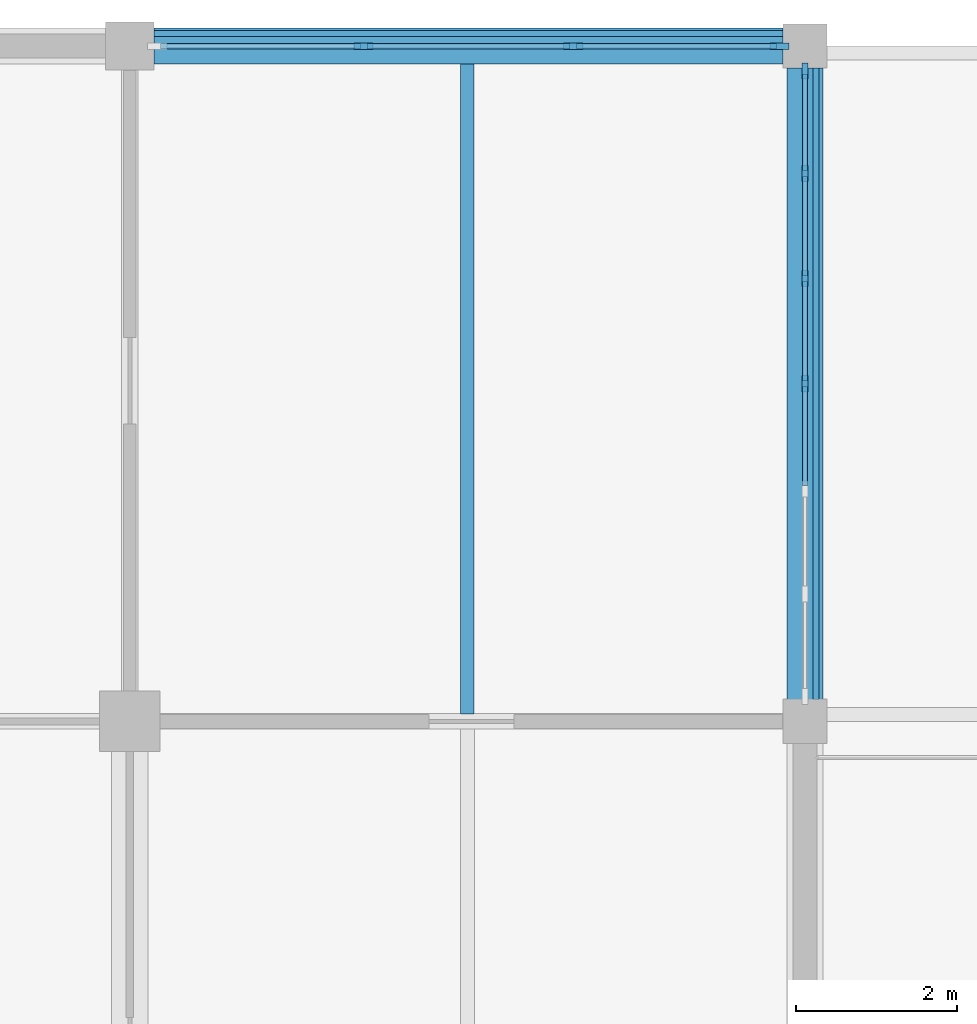
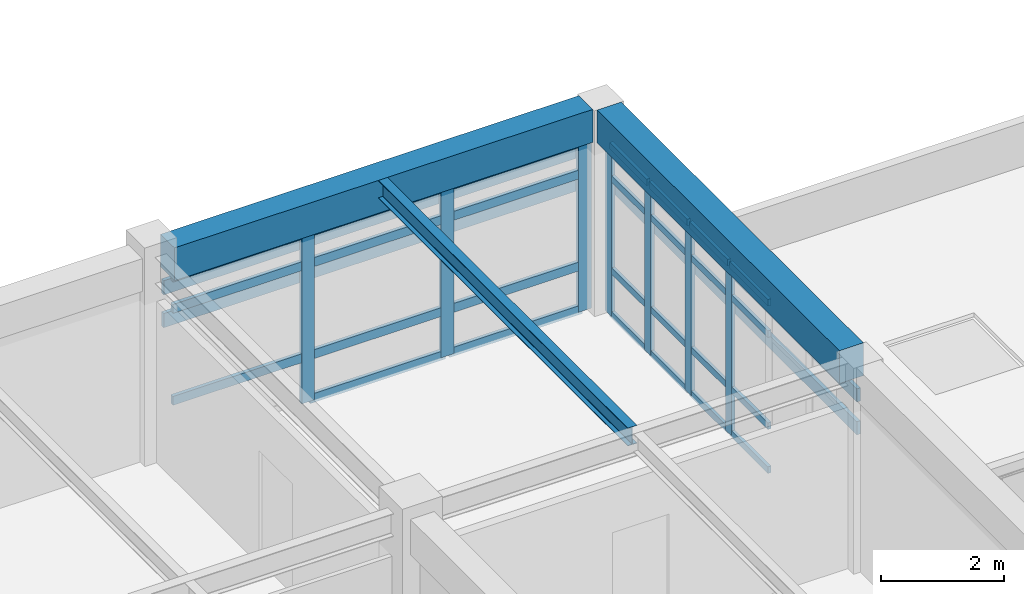
# One storey, part 19 of 40: 38 members, 3 beams, 2 elements without a shape of their own.
"""IFC4 building model written with IfcOpenShell, lengths in metres."""

import ifcopenshell
import ifcopenshell.guid

model = None  # the IFC model being written
_history = None  # IfcOwnerHistory: only IFC2X3 demands one
_inside = {}  # id of a spatial element -> (the spatial element, [elements in it])
_under = {}  # id of a project, library or spatial element -> (it, [spatial elements below it])
_declared = {}  # id of a project -> (the project, [libraries it declares])
_typed = {}  # id of a type object -> (the type object, [elements of that type])
_made_of = {}  # id of a material, layer set ... -> (it, [elements and type objects made of it])


def new_model(schema):
    """Start an empty IFC model of exactly this schema.

    Asked for "IFC4X3", IfcOpenShell would pick the latest addendum, in which some entities
    have other attributes; the version numbers below select the first issue.
    IFC2X3 requires an IfcOwnerHistory on every rooted entity: one is made here for all.
    """
    global model, _history
    if schema == "IFC4X3":
        model = ifcopenshell.file(schema_version=(4, 3, 0, 0))
    else:
        model = ifcopenshell.file(schema=schema)
    _inside.clear()
    _under.clear()
    _declared.clear()
    _typed.clear()
    _made_of.clear()
    _history = None
    if model.schema == "IFC2X3":
        org = make("IfcOrganization", Name="unknown")
        user = make(
            "IfcPersonAndOrganization",
            ThePerson=make("IfcPerson", FamilyName="unknown"),
            TheOrganization=org,
        )
        app = make(
            "IfcApplication",
            ApplicationDeveloper=org,
            Version="unknown",
            ApplicationFullName="unknown",
            ApplicationIdentifier="unknown",
        )
        _history = make(
            "IfcOwnerHistory",
            OwningUser=user,
            OwningApplication=app,
            ChangeAction="ADDED",
            CreationDate=0,
        )
    return model


def make(cls, **values):
    """One entity of the class cls with the attributes given. An attribute that is None is left unset."""
    return model.create_entity(
        cls, **{name: value for name, value in values.items() if value is not None}
    )


def rooted(cls, **values):
    """An entity with a GlobalId (a new one), such as an element, a storey or a relation."""
    return make(cls, GlobalId=ifcopenshell.guid.new(), OwnerHistory=_history, **values)


def si_unit(unit_type, name, prefix=None):
    """IfcSIUnit, for example si_unit("LENGTHUNIT", "METRE", prefix="MILLI")."""
    return make("IfcSIUnit", UnitType=unit_type, Prefix=prefix, Name=name)


def assignment(units):
    """IfcUnitAssignment: the units of a project."""
    return None if units is None else make("IfcUnitAssignment", Units=units)


def point(xyz):
    """IfcCartesianPoint."""
    return None if xyz is None else make("IfcCartesianPoint", Coordinates=xyz)


def direction(xyz):
    """IfcDirection."""
    return None if xyz is None else make("IfcDirection", DirectionRatios=xyz)


def frame(location, z_axis=None, x_axis=None):
    """IfcAxis2Placement3D, a coordinate frame: its origin and axes. An axis left out is left unset."""
    return make(
        "IfcAxis2Placement3D",
        Location=point(location),
        Axis=direction(z_axis),
        RefDirection=direction(x_axis),
    )


def frame_2d(location, x_axis=None):
    """IfcAxis2Placement2D, a coordinate frame in the plane: its origin and x axis."""
    return make(
        "IfcAxis2Placement2D", Location=point(location), RefDirection=direction(x_axis)
    )


def origin():
    """The frame at (0, 0, 0) with its axes left unset."""
    return frame((0.0, 0.0, 0.0))


def origin_2d():
    """The frame at (0, 0) in the plane with its x axis left unset."""
    return frame_2d((0.0, 0.0))


def place(relative_to, where):
    """IfcLocalPlacement: puts the frame where relative to a parent placement (None: the world)."""
    return make(
        "IfcLocalPlacement", PlacementRelTo=relative_to, RelativePlacement=where
    )


def context(
    kind, dimensions, precision=None, world=None, true_north=None, identifier=None
):
    """IfcGeometricRepresentationContext, for example the 3D "Model" context."""
    return make(
        "IfcGeometricRepresentationContext",
        ContextIdentifier=identifier,
        ContextType=kind,
        CoordinateSpaceDimension=dimensions,
        Precision=precision,
        WorldCoordinateSystem=world,
        TrueNorth=true_north,
    )


def subcontext(parent, identifier, kind, view, scale=None):
    """IfcGeometricRepresentationSubContext, for example "Body" below "Model"."""
    return make(
        "IfcGeometricRepresentationSubContext",
        ContextIdentifier=identifier,
        ContextType=kind,
        ParentContext=parent,
        TargetScale=scale,
        TargetView=view,
    )


def project(units=None, contexts=None):
    """IfcProject with its units and contexts."""
    return rooted(
        "IfcProject",
        Name="project",
        RepresentationContexts=contexts,
        UnitsInContext=assignment(units),
    )


def spatial(cls, under=None, at=None, **own):
    """A site, building, storey or space (cls), placed at a placement, below another one or the project."""
    s = rooted(cls, ObjectPlacement=at, **own)
    if under is not None:
        _under.setdefault(under.id(), (under, []))[1].append(s)
    return s


def profile(cls, at=None, kind="AREA", **sizes):
    """A parametric profile (cls). Its sizes go by their IFC names, for example OverallWidth=200.0."""
    return make(cls, ProfileType=kind, Position=at, **sizes)


def rectangle(**sizes):
    """IfcRectangleProfileDef."""
    return profile("IfcRectangleProfileDef", **sizes)


def i_section(**sizes):
    """IfcIShapeProfileDef."""
    return profile("IfcIShapeProfileDef", **sizes)


def extrude(swept, where, along, depth):
    """IfcExtrudedAreaSolid: the profile swept, set in the frame where, extruded along a direction by depth."""
    return make(
        "IfcExtrudedAreaSolid",
        SweptArea=swept,
        Position=where,
        ExtrudedDirection=direction(along),
        Depth=depth,
    )


def shape(context_of_items, identifier, shape_type, items):
    """IfcShapeRepresentation: the items that make up one representation, for example the "Body"."""
    return make(
        "IfcShapeRepresentation",
        ContextOfItems=context_of_items,
        RepresentationIdentifier=identifier,
        RepresentationType=shape_type,
        Items=items,
    )


def material(Name=None, Category=None):
    """IfcMaterial."""
    return make("IfcMaterial", Name=Name, Category=Category)


def layer(
    of_material, thickness, ventilated=None, Name=None, Category=None, Priority=None
):
    """IfcMaterialLayer: one layer of a wall or slab, of a material (None: an air gap)."""
    return make(
        "IfcMaterialLayer",
        Material=of_material,
        LayerThickness=thickness,
        IsVentilated=ventilated,
        Name=Name,
        Category=Category,
        Priority=Priority,
    )


def layer_set(layers, Name=None):
    """IfcMaterialLayerSet."""
    return make("IfcMaterialLayerSet", MaterialLayers=layers, LayerSetName=Name)


def material_profile(
    of_material, cross_section, Name=None, Category=None, Priority=None
):
    """IfcMaterialProfile: a cross section and its material."""
    return make(
        "IfcMaterialProfile",
        Name=Name,
        Material=of_material,
        Profile=cross_section,
        Priority=Priority,
        Category=Category,
    )


def profile_set(profiles, Name=None, composite=None):
    """IfcMaterialProfileSet."""
    return make(
        "IfcMaterialProfileSet",
        Name=Name,
        MaterialProfiles=profiles,
        CompositeProfile=composite,
    )


def made_of(thing, what):
    """Note that an element or type object is made of a material, layer set ...; save() writes the relation."""
    if what is not None:
        _made_of.setdefault(what.id(), (what, []))[1].append(thing)
    return thing


def type_object(cls, material=None, **own):
    """A type object (cls), such as IfcWallType, which elements share."""
    return made_of(rooted(cls, **own), material)


def element(
    cls,
    number,
    at=None,
    inside=None,
    cuts=None,
    type_object=None,
    material=None,
    context=None,
    identifier="Body",
    shape_type=None,
    held_by="IfcProductDefinitionShape",
    body=None,
    shapes=None,
    **own,
):
    """One element of the class cls, such as IfcWall. Its Tag is "e" and its number.

    at: its placement. inside: the storey or other place that contains it. cuts: it is an
    opening in that element (IfcRelVoidsElement). A single representation is given by context,
    identifier, shape_type and body (its items); several are given by shapes. held_by: the class
    of the entity that holds the representations. save() writes the other relations.
    """
    e = rooted(cls, Tag="e%d" % number, ObjectPlacement=at, **own)
    if body is not None:
        shapes = [shape(context, identifier, shape_type, body)]
    if shapes is not None:
        e.Representation = make(held_by, Representations=shapes)
    if inside is not None:
        _inside.setdefault(inside.id(), (inside, []))[1].append(e)
    if cuts is not None:
        rooted(
            "IfcRelVoidsElement", RelatingBuildingElement=cuts, RelatedOpeningElement=e
        )
    if type_object is not None:
        _typed.setdefault(type_object.id(), (type_object, []))[1].append(e)
    return made_of(e, material)


def aggregate(whole, parts):
    """IfcRelAggregates: a whole, such as a stair, and the parts it consists of."""
    return rooted("IfcRelAggregates", RelatingObject=whole, RelatedObjects=parts)


def save(model, path):
    """Write the relations noted so far, then the file.

    IfcRelAggregates (storeys below a building ...), IfcRelContainedInSpatialStructure (elements
    in a storey), IfcRelDefinesByType, IfcRelAssociatesMaterial and IfcRelDeclares: one each for
    every whole, place, type object, material and project.
    """
    for whole, parts in _under.values():
        aggregate(whole, parts)
    for where, things in _inside.values():
        rooted(
            "IfcRelContainedInSpatialStructure",
            RelatedElements=things,
            RelatingStructure=where,
        )
    for kind, things in _typed.values():
        rooted("IfcRelDefinesByType", RelatedObjects=things, RelatingType=kind)
    for what, things in _made_of.values():
        rooted("IfcRelAssociatesMaterial", RelatedObjects=things, RelatingMaterial=what)
    for by, libraries in _declared.values():
        rooted("IfcRelDeclares", RelatingContext=by, RelatedDefinitions=libraries)
    model.write(path)


model = new_model("IFC4")

# Units and contexts
model_context = context("Model", 3, precision=1e-05, world=origin(), true_north=direction((0.0, 1.0)))
body_context = subcontext(model_context, "Body", "Model", "MODEL_VIEW")
ifc_project = project(units=[si_unit("LENGTHUNIT", "METRE"), si_unit("AREAUNIT", "SQUARE_METRE"), si_unit("VOLUMEUNIT", "CUBIC_METRE"), si_unit("PLANEANGLEUNIT", "RADIAN"), si_unit("MASSUNIT", "GRAM", prefix="KILO")], contexts=[model_context])

# Site, building, storey
site_placement = place(None, origin())
site = spatial("IfcSite", under=ifc_project, at=site_placement, CompositionType="ELEMENT")
building_placement = place(site_placement, origin())
building = spatial("IfcBuilding", under=site, at=building_placement, Name="Porcellanite Civic Hall", CompositionType="ELEMENT")
storey_placement = place(building_placement, frame((0.0, 0.0, 19.080078125)))
storey = spatial("IfcBuildingStorey", under=building, at=storey_placement, Name="L04", CompositionType="ELEMENT", Elevation=19.080078125)

# Beams
ifc_material_1 = material(Name="Concrete N50 (50 MPa)", Category="concrete")
ifc_material_profile_1 = material_profile(ifc_material_1, rectangle(XDim=0.449951171875, YDim=0.64990234375, at=origin_2d()), Name="RC-450x650")
ifc_profile_set_1 = profile_set([ifc_material_profile_1], Name="Concrete N50 (50 MPa)")
beam_type_1 = type_object("IfcBeamType", Name="BM-RC650", PredefinedType="SPANDREL", material=ifc_profile_set_1)
beam_1_placement = place(storey_placement, frame((126.299560546875, 117.60009765625, 3.744873046875), z_axis=(1.0, 0.0, 0.0), x_axis=(0.0, 1.0, 0.0)))
element("IfcBeam", 1, at=beam_1_placement, inside=storey, type_object=beam_type_1, Name="Beam X L04 16-15", PredefinedType="SPANDREL", context=body_context, shape_type="SweptSolid", body=[
    extrude(rectangle(XDim=0.449951171875, YDim=0.64990234375, at=origin_2d()), origin(), (0.0, 0.0, 1.0), 7.825927734375),
])
beam_2_placement = place(storey_placement, frame((134.39990234375, 109.474609375, 3.744873046875), z_axis=(0.0, 1.0, 0.0), x_axis=(-1.0, 0.0, 0.0)))
element("IfcBeam", 2, at=beam_2_placement, inside=storey, type_object=beam_type_1, Name="Beam Y L04 17-14", PredefinedType="SPANDREL", context=body_context, shape_type="SweptSolid", body=[
    extrude(rectangle(XDim=0.449951171875, YDim=0.64990234375, at=origin_2d()), origin(), (0.0, 0.0, 1.0), 7.850830078125),
])

# Curtain wall, members
ifc_material_2 = material(Name="Anodised aluminium and solar laminated glass", Category="aluminium")
ifc_layer_1 = layer(ifc_material_2, 0.179931640625)
ifc_layer_set_1 = layer_set([ifc_layer_1], Name="Anodised aluminium and solar laminated glass")
curtain_wall_type_1 = type_object("IfcCurtainWallType", Name="CW-SYS08", PredefinedType="NOTDEFINED", material=ifc_layer_set_1)
curtain_wall_1_placement = place(storey_placement, origin())
curtain_wall_1 = element("IfcCurtainWall", 3, at=curtain_wall_1_placement, inside=storey, type_object=curtain_wall_type_1, Name="Curtain wall CW-256", PredefinedType="NOTDEFINED")
ifc_material_3 = material(Name="Anodised aluminium 6063-T6", Category="aluminium")
ifc_material_profile_2 = material_profile(ifc_material_3, rectangle(XDim=0.080078125, YDim=0.239990234375, at=origin_2d()), Name="AL-80x240")
ifc_profile_set_2 = profile_set([ifc_material_profile_2], Name="Anodised aluminium 6063-T6")
member_type_1 = type_object("IfcMemberType", Name="CWM-01", PredefinedType="MULLION", material=ifc_profile_set_2)
member_1_placement = place(storey_placement, frame((128.90869140625, 117.60009765625, 0.0), z_axis=(0.0, 0.0, 1.0), x_axis=(0.0, 1.0, 0.0)))
member_1 = element("IfcMember", 4, at=member_1_placement, type_object=member_type_1, Name="CW-256 mullion 2", PredefinedType="MULLION", context=body_context, shape_type="SweptSolid", body=[
    extrude(rectangle(XDim=0.080078125, YDim=0.239990234375, at=origin_2d()), origin(), (0.0, 0.0, 1.0), 3.369873046875),
])
member_2_placement = place(storey_placement, frame((131.516357421875, 117.60009765625, 0.0), z_axis=(0.0, 0.0, 1.0), x_axis=(0.0, 1.0, 0.0)))
member_2 = element("IfcMember", 5, at=member_2_placement, type_object=member_type_1, Name="CW-256 mullion 3", PredefinedType="MULLION", context=body_context, shape_type="SweptSolid", body=[
    extrude(rectangle(XDim=0.080078125, YDim=0.239990234375, at=origin_2d()), origin(), (0.0, 0.0, 1.0), 3.369873046875),
])
member_3_placement = place(storey_placement, frame((134.083984375, 117.60009765625, 0.0), z_axis=(0.0, 0.0, 1.0), x_axis=(0.0, 1.0, 0.0)))
member_3 = element("IfcMember", 6, at=member_3_placement, type_object=member_type_1, Name="CW-256 mullion 4", PredefinedType="MULLION", context=body_context, shape_type="SweptSolid", body=[
    extrude(rectangle(XDim=0.080078125, YDim=0.239990234375, at=origin_2d()), origin(), (0.0, 0.0, 1.0), 3.369873046875),
])

ifc_material_4 = material(Name="Anodised aluminium and solar laminated glass", Category="aluminium")
ifc_layer_2 = layer(ifc_material_4, 0.179931640625)
ifc_layer_set_2 = layer_set([ifc_layer_2], Name="Anodised aluminium and solar laminated glass")
curtain_wall_type_2 = type_object("IfcCurtainWallType", Name="CW-SYS01", PredefinedType="NOTDEFINED", material=ifc_layer_set_2)
curtain_wall_2_placement = place(storey_placement, origin())
curtain_wall_2 = element("IfcCurtainWall", 7, at=curtain_wall_2_placement, inside=storey, type_object=curtain_wall_type_2, Name="Curtain wall CW-257", PredefinedType="NOTDEFINED")
ifc_material_5 = material(Name="Anodised aluminium 6063-T6", Category="aluminium")
ifc_material_profile_3 = material_profile(ifc_material_5, rectangle(XDim=0.070068359375, YDim=0.199951171875, at=origin_2d()), Name="AL-70x200")
ifc_profile_set_3 = profile_set([ifc_material_profile_3], Name="Anodised aluminium 6063-T6")
member_type_2 = type_object("IfcMemberType", Name="CWM-05", PredefinedType="MULLION", material=ifc_profile_set_3)
member_4_placement = place(storey_placement, frame((134.39990234375, 117.2890625, 0.0), z_axis=(0.0, 0.0, 1.0), x_axis=(1.0, 0.0, 0.0)))
member_4 = element("IfcMember", 8, at=member_4_placement, type_object=member_type_2, Name="CW-257 mullion 1", PredefinedType="MULLION", context=body_context, shape_type="SweptSolid", body=[
    extrude(rectangle(XDim=0.070068359375, YDim=0.199951171875, at=origin_2d()), origin(), (0.0, 0.0, 1.0), 3.369873046875),
])
member_5_placement = place(storey_placement, frame((134.39990234375, 116.01611328125, 0.0), z_axis=(0.0, 0.0, 1.0), x_axis=(1.0, 0.0, 0.0)))
member_5 = element("IfcMember", 9, at=member_5_placement, type_object=member_type_2, Name="CW-257 mullion 2", PredefinedType="MULLION", context=body_context, shape_type="SweptSolid", body=[
    extrude(rectangle(XDim=0.070068359375, YDim=0.199951171875, at=origin_2d()), origin(), (0.0, 0.0, 1.0), 3.369873046875),
])
member_6_placement = place(storey_placement, frame((134.39990234375, 114.7080078125, 0.0), z_axis=(0.0, 0.0, 1.0), x_axis=(1.0, 0.0, 0.0)))
member_6 = element("IfcMember", 10, at=member_6_placement, type_object=member_type_2, Name="CW-257 mullion 3", PredefinedType="MULLION", context=body_context, shape_type="SweptSolid", body=[
    extrude(rectangle(XDim=0.070068359375, YDim=0.199951171875, at=origin_2d()), origin(), (0.0, 0.0, 1.0), 3.369873046875),
])
member_7_placement = place(storey_placement, frame((134.39990234375, 113.39990234375, 0.0), z_axis=(0.0, 0.0, 1.0), x_axis=(1.0, 0.0, 0.0)))
member_7 = element("IfcMember", 11, at=member_7_placement, type_object=member_type_2, Name="CW-257 mullion 4", PredefinedType="MULLION", context=body_context, shape_type="SweptSolid", body=[
    extrude(rectangle(XDim=0.070068359375, YDim=0.199951171875, at=origin_2d()), origin(), (0.0, 0.0, 1.0), 3.369873046875),
])

# Member
ifc_material_6 = material(Name="Anodised aluminium 6063-T6", Category="aluminium")
ifc_material_profile_4 = material_profile(ifc_material_6, rectangle(XDim=0.070068359375, YDim=0.175048828125, at=origin_2d()), Name="AL-70x175")
ifc_profile_set_4 = profile_set([ifc_material_profile_4], Name="Anodised aluminium 6063-T6")
member_type_3 = type_object("IfcMemberType", Name="CWT-01", PredefinedType="USERDEFINED", material=ifc_profile_set_4)
member_8_placement = place(storey_placement, frame((126.381103515625, 117.60009765625, 0.89990234375), z_axis=(1.0, 0.0, 0.0), x_axis=(0.0, 1.0, 0.0)))
member_8 = element("IfcMember", 12, at=member_8_placement, type_object=member_type_3, Name="CW-256 transom 1.2", ObjectType="TRANSOM", PredefinedType="USERDEFINED", context=body_context, shape_type="SweptSolid", body=[
    extrude(rectangle(XDim=0.070068359375, YDim=0.175048828125, at=origin_2d()), origin(), (0.0, 0.0, 1.0), 2.487548828125),
])

member_9_placement = place(storey_placement, frame((126.381103515625, 117.60009765625, 2.719970703125), z_axis=(1.0, 0.0, 0.0), x_axis=(0.0, 1.0, 0.0)))
member_9 = element("IfcMember", 13, at=member_9_placement, type_object=member_type_3, Name="CW-256 transom 1.3", ObjectType="TRANSOM", PredefinedType="USERDEFINED", context=body_context, shape_type="SweptSolid", body=[
    extrude(rectangle(XDim=0.070068359375, YDim=0.175048828125, at=origin_2d()), origin(), (0.0, 0.0, 1.0), 2.487548828125),
])

member_10_placement = place(storey_placement, frame((126.381103515625, 117.60009765625, 3.3349609375), z_axis=(1.0, 0.0, 0.0), x_axis=(0.0, 1.0, 0.0)))
member_10 = element("IfcMember", 14, at=member_10_placement, type_object=member_type_3, Name="CW-256 transom 1.4", ObjectType="TRANSOM", PredefinedType="USERDEFINED", context=body_context, shape_type="SweptSolid", body=[
    extrude(rectangle(XDim=0.070068359375, YDim=0.175048828125, at=origin_2d()), origin(), (0.0, 0.0, 1.0), 2.487548828125),
])

member_11_placement = place(storey_placement, frame((128.94873046875, 117.60009765625, 0.034912109375), z_axis=(1.0, 0.0, 0.0), x_axis=(0.0, 1.0, 0.0)))
member_11 = element("IfcMember", 15, at=member_11_placement, type_object=member_type_3, Name="CW-256 transom 2.1", ObjectType="TRANSOM", PredefinedType="USERDEFINED", context=body_context, shape_type="SweptSolid", body=[
    extrude(rectangle(XDim=0.070068359375, YDim=0.175048828125, at=origin_2d()), origin(), (0.0, 0.0, 1.0), 2.527587890625),
])

member_12_placement = place(storey_placement, frame((128.94873046875, 117.60009765625, 0.89990234375), z_axis=(1.0, 0.0, 0.0), x_axis=(0.0, 1.0, 0.0)))
member_12 = element("IfcMember", 16, at=member_12_placement, type_object=member_type_3, Name="CW-256 transom 2.2", ObjectType="TRANSOM", PredefinedType="USERDEFINED", context=body_context, shape_type="SweptSolid", body=[
    extrude(rectangle(XDim=0.070068359375, YDim=0.175048828125, at=origin_2d()), origin(), (0.0, 0.0, 1.0), 2.527587890625),
])

member_13_placement = place(storey_placement, frame((128.94873046875, 117.60009765625, 2.719970703125), z_axis=(1.0, 0.0, 0.0), x_axis=(0.0, 1.0, 0.0)))
member_13 = element("IfcMember", 17, at=member_13_placement, type_object=member_type_3, Name="CW-256 transom 2.3", ObjectType="TRANSOM", PredefinedType="USERDEFINED", context=body_context, shape_type="SweptSolid", body=[
    extrude(rectangle(XDim=0.070068359375, YDim=0.175048828125, at=origin_2d()), origin(), (0.0, 0.0, 1.0), 2.527587890625),
])

member_14_placement = place(storey_placement, frame((128.94873046875, 117.60009765625, 3.3349609375), z_axis=(1.0, 0.0, 0.0), x_axis=(0.0, 1.0, 0.0)))
member_14 = element("IfcMember", 18, at=member_14_placement, type_object=member_type_3, Name="CW-256 transom 2.4", ObjectType="TRANSOM", PredefinedType="USERDEFINED", context=body_context, shape_type="SweptSolid", body=[
    extrude(rectangle(XDim=0.070068359375, YDim=0.175048828125, at=origin_2d()), origin(), (0.0, 0.0, 1.0), 2.527587890625),
])

member_15_placement = place(storey_placement, frame((131.556396484375, 117.60009765625, 0.034912109375), z_axis=(1.0, 0.0, 0.0), x_axis=(0.0, 1.0, 0.0)))
member_15 = element("IfcMember", 19, at=member_15_placement, type_object=member_type_3, Name="CW-256 transom 3.1", ObjectType="TRANSOM", PredefinedType="USERDEFINED", context=body_context, shape_type="SweptSolid", body=[
    extrude(rectangle(XDim=0.070068359375, YDim=0.175048828125, at=origin_2d()), origin(), (0.0, 0.0, 1.0), 2.487548828125),
])

member_16_placement = place(storey_placement, frame((131.556396484375, 117.60009765625, 0.89990234375), z_axis=(1.0, 0.0, 0.0), x_axis=(0.0, 1.0, 0.0)))
member_16 = element("IfcMember", 20, at=member_16_placement, type_object=member_type_3, Name="CW-256 transom 3.2", ObjectType="TRANSOM", PredefinedType="USERDEFINED", context=body_context, shape_type="SweptSolid", body=[
    extrude(rectangle(XDim=0.070068359375, YDim=0.175048828125, at=origin_2d()), origin(), (0.0, 0.0, 1.0), 2.487548828125),
])

member_17_placement = place(storey_placement, frame((131.556396484375, 117.60009765625, 2.719970703125), z_axis=(1.0, 0.0, 0.0), x_axis=(0.0, 1.0, 0.0)))
member_17 = element("IfcMember", 21, at=member_17_placement, type_object=member_type_3, Name="CW-256 transom 3.3", ObjectType="TRANSOM", PredefinedType="USERDEFINED", context=body_context, shape_type="SweptSolid", body=[
    extrude(rectangle(XDim=0.070068359375, YDim=0.175048828125, at=origin_2d()), origin(), (0.0, 0.0, 1.0), 2.487548828125),
])

member_18_placement = place(storey_placement, frame((131.556396484375, 117.60009765625, 3.3349609375), z_axis=(1.0, 0.0, 0.0), x_axis=(0.0, 1.0, 0.0)))
member_18 = element("IfcMember", 22, at=member_18_placement, type_object=member_type_3, Name="CW-256 transom 3.4", ObjectType="TRANSOM", PredefinedType="USERDEFINED", context=body_context, shape_type="SweptSolid", body=[
    extrude(rectangle(XDim=0.070068359375, YDim=0.175048828125, at=origin_2d()), origin(), (0.0, 0.0, 1.0), 2.487548828125),
])

aggregate(curtain_wall_1, [member_1, member_2, member_3, member_8, member_9, member_10, member_11, member_12, member_13, member_14, member_15, member_16, member_17, member_18])

ifc_material_7 = material(Name="Anodised aluminium 6063-T6", Category="aluminium")
ifc_material_profile_5 = material_profile(ifc_material_7, rectangle(XDim=0.06005859375, YDim=0.1298828125, at=origin_2d()), Name="AL-60x130")
ifc_profile_set_5 = profile_set([ifc_material_profile_5], Name="Anodised aluminium 6063-T6")
member_type_4 = type_object("IfcMemberType", Name="CWT-03", PredefinedType="USERDEFINED", material=ifc_profile_set_5)
member_19_placement = place(storey_placement, frame((134.39990234375, 117.25390625, 0.030029296875), z_axis=(0.0, -1.0, 0.0), x_axis=(1.0, 0.0, 0.0)))
member_19 = element("IfcMember", 23, at=member_19_placement, type_object=member_type_4, Name="CW-257 transom 1.1", ObjectType="TRANSOM", PredefinedType="USERDEFINED", context=body_context, shape_type="SweptSolid", body=[
    extrude(rectangle(XDim=0.06005859375, YDim=0.1298828125, at=origin_2d()), origin(), (0.0, 0.0, 1.0), 1.202880859375),
])

member_20_placement = place(storey_placement, frame((134.39990234375, 117.25390625, 0.89990234375), z_axis=(0.0, -1.0, 0.0), x_axis=(1.0, 0.0, 0.0)))
member_20 = element("IfcMember", 24, at=member_20_placement, type_object=member_type_4, Name="CW-257 transom 1.2", ObjectType="TRANSOM", PredefinedType="USERDEFINED", context=body_context, shape_type="SweptSolid", body=[
    extrude(rectangle(XDim=0.06005859375, YDim=0.1298828125, at=origin_2d()), origin(), (0.0, 0.0, 1.0), 1.202880859375),
])

member_21_placement = place(storey_placement, frame((134.39990234375, 117.25390625, 2.719970703125), z_axis=(0.0, -1.0, 0.0), x_axis=(1.0, 0.0, 0.0)))
member_21 = element("IfcMember", 25, at=member_21_placement, type_object=member_type_4, Name="CW-257 transom 1.3", ObjectType="TRANSOM", PredefinedType="USERDEFINED", context=body_context, shape_type="SweptSolid", body=[
    extrude(rectangle(XDim=0.06005859375, YDim=0.1298828125, at=origin_2d()), origin(), (0.0, 0.0, 1.0), 1.202880859375),
])

member_22_placement = place(storey_placement, frame((134.39990234375, 117.25390625, 3.33984375), z_axis=(0.0, -1.0, 0.0), x_axis=(1.0, 0.0, 0.0)))
member_22 = element("IfcMember", 26, at=member_22_placement, type_object=member_type_4, Name="CW-257 transom 1.4", ObjectType="TRANSOM", PredefinedType="USERDEFINED", context=body_context, shape_type="SweptSolid", body=[
    extrude(rectangle(XDim=0.06005859375, YDim=0.1298828125, at=origin_2d()), origin(), (0.0, 0.0, 1.0), 1.202880859375),
])

member_23_placement = place(storey_placement, frame((134.39990234375, 115.98095703125, 0.030029296875), z_axis=(0.0, -1.0, 0.0), x_axis=(1.0, 0.0, 0.0)))
member_23 = element("IfcMember", 27, at=member_23_placement, type_object=member_type_4, Name="CW-257 transom 2.1", ObjectType="TRANSOM", PredefinedType="USERDEFINED", context=body_context, shape_type="SweptSolid", body=[
    extrude(rectangle(XDim=0.06005859375, YDim=0.1298828125, at=origin_2d()), origin(), (0.0, 0.0, 1.0), 1.238037109375),
])

member_24_placement = place(storey_placement, frame((134.39990234375, 115.98095703125, 0.89990234375), z_axis=(0.0, -1.0, 0.0), x_axis=(1.0, 0.0, 0.0)))
member_24 = element("IfcMember", 28, at=member_24_placement, type_object=member_type_4, Name="CW-257 transom 2.2", ObjectType="TRANSOM", PredefinedType="USERDEFINED", context=body_context, shape_type="SweptSolid", body=[
    extrude(rectangle(XDim=0.06005859375, YDim=0.1298828125, at=origin_2d()), origin(), (0.0, 0.0, 1.0), 1.238037109375),
])

member_25_placement = place(storey_placement, frame((134.39990234375, 115.98095703125, 2.719970703125), z_axis=(0.0, -1.0, 0.0), x_axis=(1.0, 0.0, 0.0)))
member_25 = element("IfcMember", 29, at=member_25_placement, type_object=member_type_4, Name="CW-257 transom 2.3", ObjectType="TRANSOM", PredefinedType="USERDEFINED", context=body_context, shape_type="SweptSolid", body=[
    extrude(rectangle(XDim=0.06005859375, YDim=0.1298828125, at=origin_2d()), origin(), (0.0, 0.0, 1.0), 1.238037109375),
])

member_26_placement = place(storey_placement, frame((134.39990234375, 115.98095703125, 3.33984375), z_axis=(0.0, -1.0, 0.0), x_axis=(1.0, 0.0, 0.0)))
member_26 = element("IfcMember", 30, at=member_26_placement, type_object=member_type_4, Name="CW-257 transom 2.4", ObjectType="TRANSOM", PredefinedType="USERDEFINED", context=body_context, shape_type="SweptSolid", body=[
    extrude(rectangle(XDim=0.06005859375, YDim=0.1298828125, at=origin_2d()), origin(), (0.0, 0.0, 1.0), 1.238037109375),
])

member_27_placement = place(storey_placement, frame((134.39990234375, 114.673095703125, 0.030029296875), z_axis=(0.0, -1.0, 0.0), x_axis=(1.0, 0.0, 0.0)))
member_27 = element("IfcMember", 31, at=member_27_placement, type_object=member_type_4, Name="CW-257 transom 3.1", ObjectType="TRANSOM", PredefinedType="USERDEFINED", context=body_context, shape_type="SweptSolid", body=[
    extrude(rectangle(XDim=0.06005859375, YDim=0.1298828125, at=origin_2d()), origin(), (0.0, 0.0, 1.0), 1.238037109375),
])

member_28_placement = place(storey_placement, frame((134.39990234375, 114.673095703125, 0.89990234375), z_axis=(0.0, -1.0, 0.0), x_axis=(1.0, 0.0, 0.0)))
member_28 = element("IfcMember", 32, at=member_28_placement, type_object=member_type_4, Name="CW-257 transom 3.2", ObjectType="TRANSOM", PredefinedType="USERDEFINED", context=body_context, shape_type="SweptSolid", body=[
    extrude(rectangle(XDim=0.06005859375, YDim=0.1298828125, at=origin_2d()), origin(), (0.0, 0.0, 1.0), 1.238037109375),
])

member_29_placement = place(storey_placement, frame((134.39990234375, 114.673095703125, 2.719970703125), z_axis=(0.0, -1.0, 0.0), x_axis=(1.0, 0.0, 0.0)))
member_29 = element("IfcMember", 33, at=member_29_placement, type_object=member_type_4, Name="CW-257 transom 3.3", ObjectType="TRANSOM", PredefinedType="USERDEFINED", context=body_context, shape_type="SweptSolid", body=[
    extrude(rectangle(XDim=0.06005859375, YDim=0.1298828125, at=origin_2d()), origin(), (0.0, 0.0, 1.0), 1.238037109375),
])

member_30_placement = place(storey_placement, frame((134.39990234375, 114.673095703125, 3.33984375), z_axis=(0.0, -1.0, 0.0), x_axis=(1.0, 0.0, 0.0)))
member_30 = element("IfcMember", 34, at=member_30_placement, type_object=member_type_4, Name="CW-257 transom 3.4", ObjectType="TRANSOM", PredefinedType="USERDEFINED", context=body_context, shape_type="SweptSolid", body=[
    extrude(rectangle(XDim=0.06005859375, YDim=0.1298828125, at=origin_2d()), origin(), (0.0, 0.0, 1.0), 1.238037109375),
])

member_31_placement = place(storey_placement, frame((134.39990234375, 113.364990234375, 0.030029296875), z_axis=(0.0, -1.0, 0.0), x_axis=(1.0, 0.0, 0.0)))
member_31 = element("IfcMember", 35, at=member_31_placement, type_object=member_type_4, Name="CW-257 transom 4.1", ObjectType="TRANSOM", PredefinedType="USERDEFINED", context=body_context, shape_type="SweptSolid", body=[
    extrude(rectangle(XDim=0.06005859375, YDim=0.1298828125, at=origin_2d()), origin(), (0.0, 0.0, 1.0), 1.238037109375),
])

member_32_placement = place(storey_placement, frame((134.39990234375, 113.364990234375, 0.89990234375), z_axis=(0.0, -1.0, 0.0), x_axis=(1.0, 0.0, 0.0)))
member_32 = element("IfcMember", 36, at=member_32_placement, type_object=member_type_4, Name="CW-257 transom 4.2", ObjectType="TRANSOM", PredefinedType="USERDEFINED", context=body_context, shape_type="SweptSolid", body=[
    extrude(rectangle(XDim=0.06005859375, YDim=0.1298828125, at=origin_2d()), origin(), (0.0, 0.0, 1.0), 1.238037109375),
])

member_33_placement = place(storey_placement, frame((134.39990234375, 113.364990234375, 2.719970703125), z_axis=(0.0, -1.0, 0.0), x_axis=(1.0, 0.0, 0.0)))
member_33 = element("IfcMember", 37, at=member_33_placement, type_object=member_type_4, Name="CW-257 transom 4.3", ObjectType="TRANSOM", PredefinedType="USERDEFINED", context=body_context, shape_type="SweptSolid", body=[
    extrude(rectangle(XDim=0.06005859375, YDim=0.1298828125, at=origin_2d()), origin(), (0.0, 0.0, 1.0), 1.238037109375),
])

member_34_placement = place(storey_placement, frame((134.39990234375, 113.364990234375, 3.33984375), z_axis=(0.0, -1.0, 0.0), x_axis=(1.0, 0.0, 0.0)))
member_34 = element("IfcMember", 38, at=member_34_placement, type_object=member_type_4, Name="CW-257 transom 4.4", ObjectType="TRANSOM", PredefinedType="USERDEFINED", context=body_context, shape_type="SweptSolid", body=[
    extrude(rectangle(XDim=0.06005859375, YDim=0.1298828125, at=origin_2d()), origin(), (0.0, 0.0, 1.0), 1.238037109375),
])

aggregate(curtain_wall_2, [member_4, member_5, member_6, member_7, member_19, member_20, member_21, member_22, member_23, member_24, member_25, member_26, member_27, member_28, member_29, member_30, member_31, member_32, member_33, member_34])

# Beam
ifc_material_8 = material(Name="Steel Grade 350", Category="steel")
ifc_material_profile_6 = material_profile(ifc_material_8, i_section(OverallWidth=0.1708984375, OverallDepth=0.35595703125, WebThickness=0.00732421875, FlangeThickness=0.011474609375, FilletRadius=0.011474609375, at=origin_2d()), Name="360UB50.7")
ifc_profile_set_6 = profile_set([ifc_material_profile_6], Name="Steel Grade 350")
beam_type_2 = type_object("IfcBeamType", Name="JST-360UB51", PredefinedType="JOIST", material=ifc_profile_set_6)
beam_3_placement = place(storey_placement, frame((130.199951171875, 109.29443359375, 3.891845703125), z_axis=(0.0, 1.0, 0.0), x_axis=(-1.0, 0.0, 0.0)))
element("IfcBeam", 39, at=beam_3_placement, inside=storey, type_object=beam_type_2, Name="Secondary joist L04 16-14", PredefinedType="JOIST", context=body_context, shape_type="SweptSolid", body=[
    extrude(i_section(OverallWidth=0.1708984375, OverallDepth=0.35595703125, WebThickness=0.00732421875, FlangeThickness=0.011474609375, FilletRadius=0.011474609375, at=origin_2d()), origin(), (0.0, 0.0, 1.0), 8.0810546875),
])

# Members
ifc_material_9 = material(Name="Fluoropolymer bauxite-red aluminium 6063-T6", Category="aluminium")
ifc_material_profile_7 = material_profile(ifc_material_9, rectangle(XDim=0.070068359375, YDim=0.280029296875, at=origin_2d()), Name="AL-70x280")
ifc_profile_set_7 = profile_set([ifc_material_profile_7], Name="Fluoropolymer bauxite-red aluminium 6063-T6")
member_type_5 = type_object("IfcMemberType", Name="LV-BLD05", PredefinedType="USERDEFINED", material=ifc_profile_set_7)
for number, where, z_axis, x_axis, name in (
    (40, (126.299560546875, 117.757080078125, 3.06982421875), (1.0, 0.0, 0.0), (0.0, 1.0, 0.0), "Cyclone sunshade louvre L04 N 15-13 1"),
    (41, (126.299560546875, 117.757080078125, 2.419921875), (1.0, 0.0, 0.0), (0.0, 1.0, 0.0), "Cyclone sunshade louvre L04 N 15-13 2"),
):
    element("IfcMember", number, at=place(storey_placement, frame(where, z_axis=z_axis, x_axis=x_axis)), inside=storey, type_object=member_type_5, Name=name, ObjectType="LOUVRE BLADE", PredefinedType="USERDEFINED", context=body_context, shape_type="SweptSolid", body=[
        extrude(rectangle(XDim=0.070068359375, YDim=0.280029296875, at=origin_2d()), origin(), (0.0, 0.0, 1.0), 7.825927734375),
    ])
ifc_material_10 = material(Name="Fluoropolymer bauxite-red aluminium 6063-T6", Category="aluminium")
ifc_material_profile_8 = material_profile(ifc_material_10, rectangle(XDim=0.070068359375, YDim=0.260009765625, at=origin_2d()), Name="AL-70x260")
ifc_profile_set_8 = profile_set([ifc_material_profile_8], Name="Fluoropolymer bauxite-red aluminium 6063-T6")
member_type_6 = type_object("IfcMemberType", Name="LV-BLD06", PredefinedType="USERDEFINED", material=ifc_profile_set_8)
for number, where, z_axis, x_axis, name in (
    (42, (134.537109375, 117.325439453125, 3.06982421875), (0.0, -1.0, 0.0), (1.0, 0.0, 0.0), "Cyclone sunshade louvre L04 E 15-13 1"),
    (43, (134.537109375, 117.325439453125, 2.419921875), (0.0, -1.0, 0.0), (1.0, 0.0, 0.0), "Cyclone sunshade louvre L04 E 15-13 2"),
):
    element("IfcMember", number, at=place(storey_placement, frame(where, z_axis=z_axis, x_axis=x_axis)), inside=storey, type_object=member_type_6, Name=name, ObjectType="LOUVRE BLADE", PredefinedType="USERDEFINED", context=body_context, shape_type="SweptSolid", body=[
        extrude(rectangle(XDim=0.070068359375, YDim=0.260009765625, at=origin_2d()), origin(), (0.0, 0.0, 1.0), 7.850830078125),
    ])

save(model, "model.ifc")
